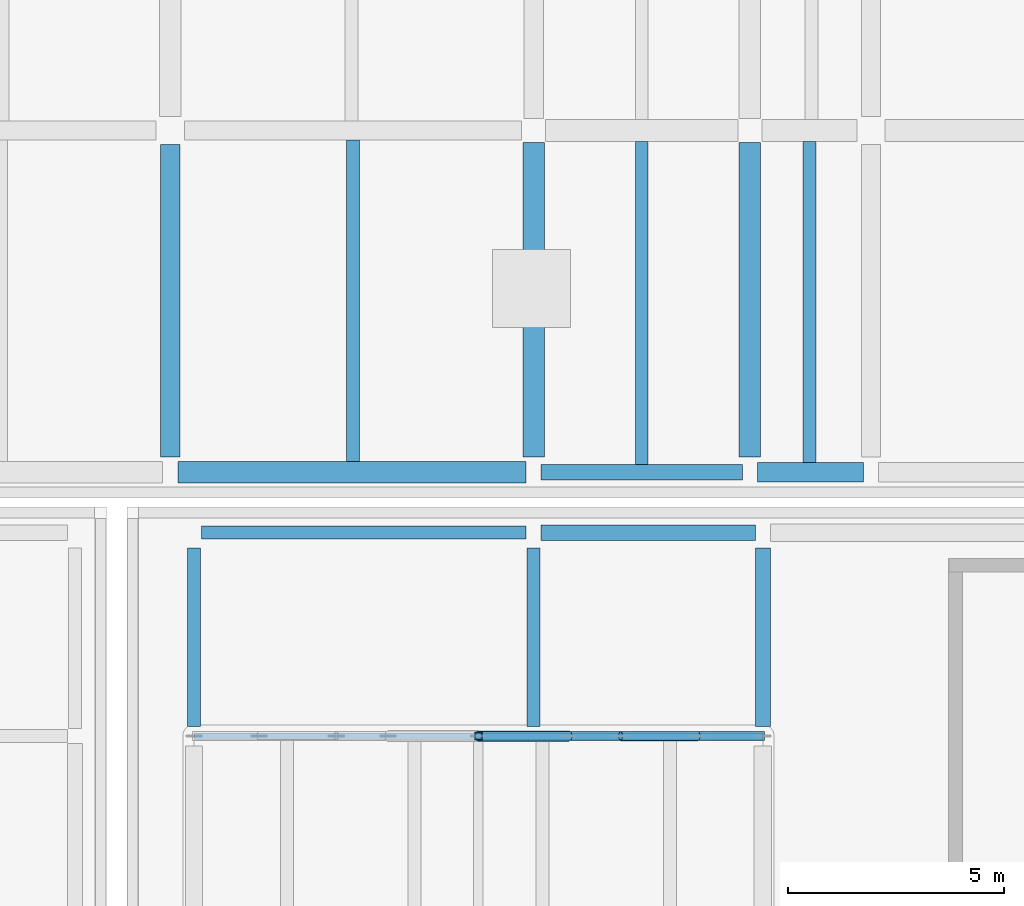
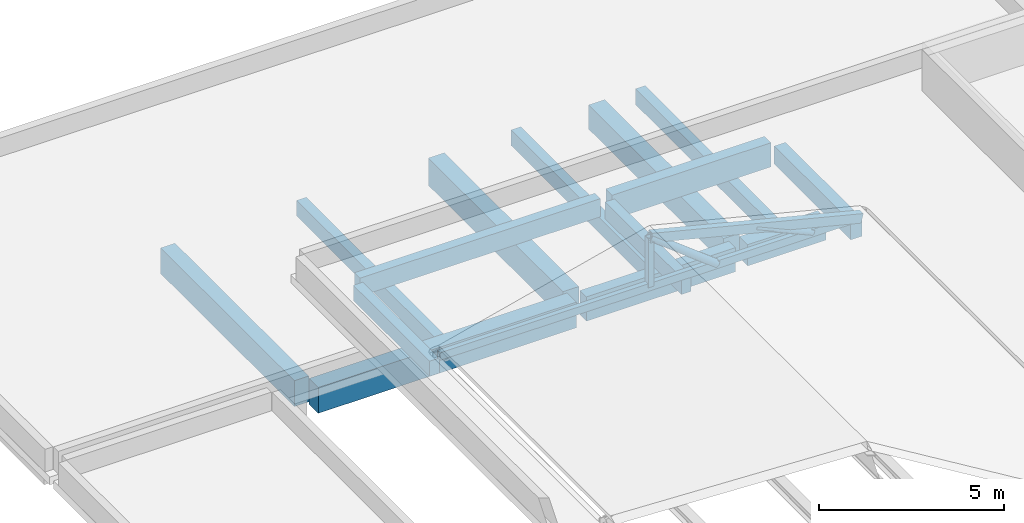
# One storey, part 9 of 40: 14 beams, 5 members.
"""IFC4 building model written with IfcOpenShell, lengths in metres."""

from ifc_helpers import new_model, si_unit, direction, frame, origin, origin_2d, place, context, subcontext, project, spatial, rectangle, hollow_rectangle, hollow_circle, extrude, material, material_profile, profile_set, type_object, element, save


model = new_model("IFC4")

# Units and contexts
model_context = context("Model", 3, precision=1e-05, world=origin(), true_north=direction((0.0, 1.0)))
body_context = subcontext(model_context, "Body", "Model", "MODEL_VIEW")
ifc_project = project(units=[si_unit("LENGTHUNIT", "METRE"), si_unit("AREAUNIT", "SQUARE_METRE"), si_unit("VOLUMEUNIT", "CUBIC_METRE"), si_unit("PLANEANGLEUNIT", "RADIAN"), si_unit("MASSUNIT", "GRAM", prefix="KILO")], contexts=[model_context])

# Site, building, storey
site_placement = place(None, origin())
site = spatial("IfcSite", under=ifc_project, at=site_placement, CompositionType="ELEMENT")
building_placement = place(site_placement, origin())
building = spatial("IfcBuilding", under=site, at=building_placement, Name="Mzevani Central Library", CompositionType="ELEMENT")
storey_placement = place(building_placement, frame((0.0, 0.0, 26.699951171875)))
storey = spatial("IfcBuildingStorey", under=building, at=storey_placement, Name="RF", CompositionType="ELEMENT", Elevation=26.699951171875)

# Members
ifc_material_1 = material(Name="Steel S355J2", Category="steel")
ifc_material_profile_1 = material_profile(ifc_material_1, hollow_rectangle(XDim=0.14990234375, YDim=0.25, WallThickness=0.010009765625, at=origin_2d()), Name="RHS 250x150x10.0")
ifc_profile_set_1 = profile_set([ifc_material_profile_1], Name="Steel S355J2")
member_type_1 = type_object("IfcMemberType", Name="Auditorium Bottom Chord RHS 250x150", PredefinedType="CHORD", material=ifc_profile_set_1)
member_1_placement = place(storey_placement, frame((21.35009765625, 70.60009765625, -12.8798828125), z_axis=(1.0, 0.0, 0.0), x_axis=(0.0, 1.0, 0.0)))
element("IfcMember", 1, at=member_1_placement, inside=storey, type_object=member_type_1, Name="RF Auditorium Truss 4 Bottom Chord", PredefinedType="CHORD", context=body_context, shape_type="SweptSolid", body=[
    extrude(hollow_rectangle(XDim=0.14990234375, YDim=0.25, WallThickness=0.010009765625, at=origin_2d()), origin(), (0.0, 0.0, 1.0), 13.14990234375),
])
ifc_material_profile_2 = material_profile(ifc_material_1, hollow_rectangle(XDim=0.199951171875, YDim=0.300048828125, WallThickness=0.012451171875, at=origin_2d()), Name="RHS 300x200x12.5")
ifc_profile_set_2 = profile_set([ifc_material_profile_2], Name="Steel S355J2")
member_type_2 = type_object("IfcMemberType", Name="Auditorium Top Chord RHS 300x200", PredefinedType="CHORD", material=ifc_profile_set_2)
member_2_placement = place(storey_placement, frame((27.925048828125, 70.60009765625, -11.260009765625), z_axis=(0.96992814932, 0.0, -0.243391423753), x_axis=(0.0, 1.0, 0.0)))
element("IfcMember", 2, at=member_2_placement, inside=storey, type_object=member_type_2, Name="RF Auditorium Truss 4 East Top Chord", PredefinedType="CHORD", context=body_context, shape_type="SweptSolid", body=[
    extrude(hollow_rectangle(XDim=0.199951171875, YDim=0.300048828125, WallThickness=0.012451171875, at=origin_2d()), origin(), (0.0, 0.0, 1.0), 6.77880859375),
])
ifc_material_profile_3 = material_profile(ifc_material_1, hollow_circle(Radius=0.122314453125, WallThickness=0.012451171875, at=origin_2d()), Name="CHS 244.5x12.5")
ifc_profile_set_3 = profile_set([ifc_material_profile_3], Name="Steel S355J2")
member_type_3 = type_object("IfcMemberType", Name="Auditorium Truss Strut CHS 244.5", PredefinedType="BRACE", material=ifc_profile_set_3)
member_3_placement = place(storey_placement, frame((30.012451171875, 70.60009765625, -12.8798828125), z_axis=(-0.790023424808, 0.0, 0.613076657731), x_axis=(0.0, -1.0, 0.0)))
element("IfcMember", 3, at=member_3_placement, inside=storey, type_object=member_type_3, Name="RF Auditorium Truss 4 Web 3", PredefinedType="BRACE", context=body_context, shape_type="SweptSolid", body=[
    extrude(hollow_circle(Radius=0.122314453125, WallThickness=0.012451171875, at=origin_2d()), origin(), (0.0, 0.0, 1.0), 2.64208984375),
])
ifc_material_profile_4 = material_profile(ifc_material_1, hollow_circle(Radius=0.109619140625, WallThickness=0.012451171875, at=origin_2d()), Name="CHS 219.1x12.5")
ifc_profile_set_4 = profile_set([ifc_material_profile_4], Name="Steel S355J2")
member_type_4 = type_object("IfcMemberType", Name="Auditorium Truss Web CHS 219.1", PredefinedType="BRACE", material=ifc_profile_set_4)
member_4_placement = place(storey_placement, frame((33.0, 70.60009765625, -12.8798828125), z_axis=(-0.913729192656, 0.0, 0.406323716374), x_axis=(0.0, -1.0, 0.0)))
element("IfcMember", 4, at=member_4_placement, inside=storey, type_object=member_type_4, Name="RF Auditorium Truss 4 Web 4", PredefinedType="BRACE", context=body_context, shape_type="SweptSolid", body=[
    extrude(hollow_circle(Radius=0.109619140625, WallThickness=0.012451171875, at=origin_2d()), origin(), (0.0, 0.0, 1.0), 1.956298828125),
])

# Beams
ifc_material_2 = material(Name="Concrete C35/45", Category="concrete")
ifc_material_profile_5 = material_profile(ifc_material_2, rectangle(XDim=0.300048828125, YDim=0.5, at=origin_2d()), Name="RC B300x500")
ifc_profile_set_5 = profile_set([ifc_material_profile_5], Name="Concrete C35/45")
beam_type_1 = type_object("IfcBeamType", Name="Beam RC 300x500", PredefinedType="BEAM", material=ifc_profile_set_5)
beam_1_placement = place(storey_placement, frame((21.35009765625, 70.824951171875, -13.409912109375), z_axis=(0.0, 1.0, 0.0), x_axis=(-1.0, 0.0, 0.0)))
element("IfcBeam", 5, at=beam_1_placement, inside=storey, type_object=beam_type_1, Name="RF V5 Frame Beam B-01 (1028)", PredefinedType="BEAM", context=body_context, shape_type="SweptSolid", body=[
    extrude(rectangle(XDim=0.300048828125, YDim=0.5, at=origin_2d()), origin(), (0.0, 0.0, 1.0), 4.125),
])
ifc_material_profile_6 = material_profile(ifc_material_2, rectangle(XDim=0.300048828125, YDim=0.550048828125, at=origin_2d()), Name="RC B300x550")
ifc_profile_set_6 = profile_set([ifc_material_profile_6], Name="Concrete C35/45")
beam_type_2 = type_object("IfcBeamType", Name="Beam RC 300x550", PredefinedType="BEAM", material=ifc_profile_set_6)
beam_2_placement = place(storey_placement, frame((29.199951171875, 70.824951171875, -13.43505859375), z_axis=(0.0, 1.0, 0.0), x_axis=(-1.0, 0.0, 0.0)))
element("IfcBeam", 6, at=beam_2_placement, inside=storey, type_object=beam_type_2, Name="RF V5 Frame Beam B-02 (1029)", PredefinedType="BEAM", context=body_context, shape_type="SweptSolid", body=[
    extrude(rectangle(XDim=0.300048828125, YDim=0.550048828125, at=origin_2d()), origin(), (0.0, 0.0, 1.0), 4.125),
])
ifc_material_profile_7 = material_profile(ifc_material_2, rectangle(XDim=0.300048828125, YDim=0.60009765625, at=origin_2d()), Name="RC B300x600")
ifc_profile_set_7 = profile_set([ifc_material_profile_7], Name="Concrete C35/45")
beam_type_3 = type_object("IfcBeamType", Name="Beam RC 300x600", PredefinedType="BEAM", material=ifc_profile_set_7)
beam_3_placement = place(storey_placement, frame((21.52490234375, 75.300048828125, -13.4599609375), z_axis=(1.0, 0.0, 0.0), x_axis=(0.0, 1.0, 0.0)))
element("IfcBeam", 7, at=beam_3_placement, inside=storey, type_object=beam_type_3, Name="RF V5 Girder B-03 (1022)", PredefinedType="BEAM", context=body_context, shape_type="SweptSolid", body=[
    extrude(rectangle(XDim=0.300048828125, YDim=0.60009765625, at=origin_2d()), origin(), (0.0, 0.0, 1.0), 7.5),
])
ifc_material_profile_8 = material_profile(ifc_material_2, rectangle(XDim=0.35009765625, YDim=0.60009765625, at=origin_2d()), Name="RC B350x600")
ifc_profile_set_8 = profile_set([ifc_material_profile_8], Name="Concrete C35/45")
beam_type_4 = type_object("IfcBeamType", Name="Beam RC 350x600", PredefinedType="BEAM", material=ifc_profile_set_8)
beam_4_placement = place(storey_placement, frame((34.5, 70.824951171875, -13.4599609375), z_axis=(0.0, 1.0, 0.0), x_axis=(-1.0, 0.0, 0.0)))
element("IfcBeam", 8, at=beam_4_placement, inside=storey, type_object=beam_type_4, Name="RF V5 Frame Beam B-04 (1031)", PredefinedType="BEAM", context=body_context, shape_type="SweptSolid", body=[
    extrude(rectangle(XDim=0.35009765625, YDim=0.60009765625, at=origin_2d()), origin(), (0.0, 0.0, 1.0), 4.125),
])
ifc_material_3 = material(Name="Precast concrete C40/50", Category="concrete")
ifc_material_profile_9 = material_profile(ifc_material_3, rectangle(XDim=0.35009765625, YDim=0.800048828125, at=origin_2d()), Name="RC SP350x800")
ifc_profile_set_9 = profile_set([ifc_material_profile_9], Name="Precast concrete C40/50")
beam_type_5 = type_object("IfcBeamType", Name="Colonnade Fascia Beam RC 350x800", PredefinedType="SPANDREL", material=ifc_profile_set_9)
beam_5_placement = place(storey_placement, frame((29.375, 76.699951171875, -17.760009765625), z_axis=(1.0, 0.0, 0.0), x_axis=(0.0, 1.0, 0.0)))
element("IfcBeam", 9, at=beam_5_placement, inside=storey, type_object=beam_type_5, Name="RF V2 Girder SP-02 (279)", PredefinedType="SPANDREL", context=body_context, shape_type="SweptSolid", body=[
    extrude(rectangle(XDim=0.35009765625, YDim=0.800048828125, at=origin_2d()), origin(), (0.0, 0.0, 1.0), 4.64990234375),
])
beam_6_placement = place(storey_placement, frame((29.375, 75.300048828125, -13.56005859375), z_axis=(1.0, 0.0, 0.0), x_axis=(0.0, 1.0, 0.0)))
element("IfcBeam", 10, at=beam_6_placement, inside=storey, type_object=beam_type_5, Name="RF V5 Girder SP-02 (1023)", PredefinedType="SPANDREL", context=body_context, shape_type="SweptSolid", body=[
    extrude(rectangle(XDim=0.35009765625, YDim=0.800048828125, at=origin_2d()), origin(), (0.0, 0.0, 1.0), 4.949951171875),
])
ifc_material_4 = material(Name="Concrete C40/50", Category="concrete")
ifc_material_profile_10 = material_profile(ifc_material_4, rectangle(XDim=0.449951171875, YDim=0.699951171875, at=origin_2d()), Name="RC B450x700")
ifc_profile_set_10 = profile_set([ifc_material_profile_10], Name="Concrete C40/50")
beam_type_6 = type_object("IfcBeamType", Name="Stack Girder RC 450x700", PredefinedType="BEAM", material=ifc_profile_set_10)
beam_7_placement = place(storey_placement, frame((34.375, 76.699951171875, -17.7099609375), z_axis=(1.0, 0.0, 0.0), x_axis=(0.0, 1.0, 0.0)))
element("IfcBeam", 11, at=beam_7_placement, inside=storey, type_object=beam_type_6, Name="RF V2 Girder BG-01 (280)", PredefinedType="BEAM", context=body_context, shape_type="SweptSolid", body=[
    extrude(rectangle(XDim=0.449951171875, YDim=0.699951171875, at=origin_2d()), origin(), (0.0, 0.0, 1.0), 2.449951171875),
])
ifc_material_profile_11 = material_profile(ifc_material_4, rectangle(XDim=0.449951171875, YDim=0.85009765625, at=origin_2d()), Name="RC B450x850")
ifc_profile_set_11 = profile_set([ifc_material_profile_11], Name="Concrete C40/50")
beam_type_7 = type_object("IfcBeamType", Name="Stack Girder RC 450x850", PredefinedType="BEAM", material=ifc_profile_set_11)
beam_8_placement = place(storey_placement, frame((20.800048828125, 77.050048828125, -17.784912109375), z_axis=(0.0, 1.0, 0.0), x_axis=(-1.0, 0.0, 0.0)))
element("IfcBeam", 12, at=beam_8_placement, inside=storey, type_object=beam_type_7, Name="RF V2 Frame Beam BG-04 (304)", PredefinedType="BEAM", context=body_context, shape_type="SweptSolid", body=[
    extrude(rectangle(XDim=0.449951171875, YDim=0.85009765625, at=origin_2d()), origin(), (0.0, 0.0, 1.0), 7.224853515625),
])
ifc_material_profile_12 = material_profile(ifc_material_4, rectangle(XDim=0.5, YDim=0.800048828125, at=origin_2d()), Name="RC B500x800")
ifc_profile_set_12 = profile_set([ifc_material_profile_12], Name="Concrete C40/50")
beam_type_8 = type_object("IfcBeamType", Name="Stack Girder RC 500x800", PredefinedType="BEAM", material=ifc_profile_set_12)
beam_9_placement = place(storey_placement, frame((34.199951171875, 77.050048828125, -17.760009765625), z_axis=(0.0, 1.0, 0.0), x_axis=(-1.0, 0.0, 0.0)))
element("IfcBeam", 13, at=beam_9_placement, inside=storey, type_object=beam_type_8, Name="RF V2 Frame Beam BG-05 (312)", PredefinedType="BEAM", context=body_context, shape_type="SweptSolid", body=[
    extrude(rectangle(XDim=0.5, YDim=0.800048828125, at=origin_2d()), origin(), (0.0, 0.0, 1.0), 7.27490234375),
])
ifc_material_profile_13 = material_profile(ifc_material_4, rectangle(XDim=0.5, YDim=0.85009765625, at=origin_2d()), Name="RC B500x850")
ifc_profile_set_13 = profile_set([ifc_material_profile_13], Name="Concrete C40/50")
beam_type_9 = type_object("IfcBeamType", Name="Stack Girder RC 500x850", PredefinedType="BEAM", material=ifc_profile_set_13)
beam_10_placement = place(storey_placement, frame((20.97509765625, 76.699951171875, -17.784912109375), z_axis=(1.0, 0.0, 0.0), x_axis=(0.0, 1.0, 0.0)))
element("IfcBeam", 14, at=beam_10_placement, inside=storey, type_object=beam_type_9, Name="RF V2 Girder BG-06 (278)", PredefinedType="BEAM", context=body_context, shape_type="SweptSolid", body=[
    extrude(rectangle(XDim=0.5, YDim=0.85009765625, at=origin_2d()), origin(), (0.0, 0.0, 1.0), 8.0498046875),
])
ifc_material_profile_14 = material_profile(ifc_material_4, rectangle(XDim=0.5, YDim=0.89990234375, at=origin_2d()), Name="RC B500x900")
ifc_profile_set_14 = profile_set([ifc_material_profile_14], Name="Concrete C40/50")
beam_type_10 = type_object("IfcBeamType", Name="Stack Girder RC 500x900", PredefinedType="BEAM", material=ifc_profile_set_14)
beam_11_placement = place(storey_placement, frame((29.199951171875, 77.050048828125, -17.81005859375), z_axis=(0.0, 1.0, 0.0), x_axis=(-1.0, 0.0, 0.0)))
element("IfcBeam", 15, at=beam_11_placement, inside=storey, type_object=beam_type_10, Name="RF V2 Frame Beam BG-07 (307)", PredefinedType="BEAM", context=body_context, shape_type="SweptSolid", body=[
    extrude(rectangle(XDim=0.5, YDim=0.89990234375, at=origin_2d()), origin(), (0.0, 0.0, 1.0), 7.27490234375),
])
ifc_material_profile_15 = material_profile(ifc_material_4, rectangle(XDim=0.300048828125, YDim=0.52001953125, at=origin_2d()), Name="RC J300x520")
ifc_profile_set_15 = profile_set([ifc_material_profile_15], Name="Concrete C40/50")
beam_type_11 = type_object("IfcBeamType", Name="Stack Joist RC 300x520", PredefinedType="JOIST", material=ifc_profile_set_15)
beam_12_placement = place(storey_placement, frame((25.02490234375, 76.949951171875, -17.619873046875), z_axis=(0.0, 1.0, 0.0), x_axis=(-1.0, 0.0, 0.0)))
element("IfcBeam", 16, at=beam_12_placement, inside=storey, type_object=beam_type_11, Name="RF V2 Floor Joist BJ-04 (326)", PredefinedType="JOIST", context=body_context, shape_type="SweptSolid", body=[
    extrude(rectangle(XDim=0.300048828125, YDim=0.52001953125, at=origin_2d()), origin(), (0.0, 0.0, 1.0), 7.425048828125),
])
beam_13_placement = place(storey_placement, frame((31.699951171875, 76.875, -17.619873046875), z_axis=(0.0, 1.0, 0.0), x_axis=(-1.0, 0.0, 0.0)))
element("IfcBeam", 17, at=beam_13_placement, inside=storey, type_object=beam_type_11, Name="RF V2 Floor Joist BJ-04 (327)", PredefinedType="JOIST", context=body_context, shape_type="SweptSolid", body=[
    extrude(rectangle(XDim=0.300048828125, YDim=0.52001953125, at=origin_2d()), origin(), (0.0, 0.0, 1.0), 7.47509765625),
])
beam_14_placement = place(storey_placement, frame((35.574951171875, 76.925048828125, -17.619873046875), z_axis=(0.0, 1.0, 0.0), x_axis=(-1.0, 0.0, 0.0)))
element("IfcBeam", 18, at=beam_14_placement, inside=storey, type_object=beam_type_11, Name="RF V2 Floor Joist BJ-04 (328)", PredefinedType="JOIST", context=body_context, shape_type="SweptSolid", body=[
    extrude(rectangle(XDim=0.300048828125, YDim=0.52001953125, at=origin_2d()), origin(), (0.0, 0.0, 1.0), 7.425048828125),
])

# Member
ifc_material_profile_16 = material_profile(ifc_material_1, hollow_rectangle(XDim=0.179931640625, YDim=0.179931640625, WallThickness=0.010009765625, at=origin_2d()), Name="SHS 180x180x10.0")
ifc_profile_set_16 = profile_set([ifc_material_profile_16], Name="Steel S355J2")
member_type_5 = type_object("IfcMemberType", Name="Truss King Post SHS 180x180", PredefinedType="POST", material=ifc_profile_set_16)
member_5_placement = place(storey_placement, frame((27.925048828125, 70.60009765625, -12.8798828125), z_axis=(0.0, 0.0, 1.0), x_axis=(1.0, 0.0, 0.0)))
element("IfcMember", 19, at=member_5_placement, inside=storey, type_object=member_type_5, Name="RF Auditorium Truss 4 King Post", PredefinedType="POST", context=body_context, shape_type="SweptSolid", body=[
    extrude(hollow_rectangle(XDim=0.179931640625, YDim=0.179931640625, WallThickness=0.010009765625, at=origin_2d()), origin(), (0.0, 0.0, 1.0), 1.619873046875),
])

save(model, "model.ifc")
